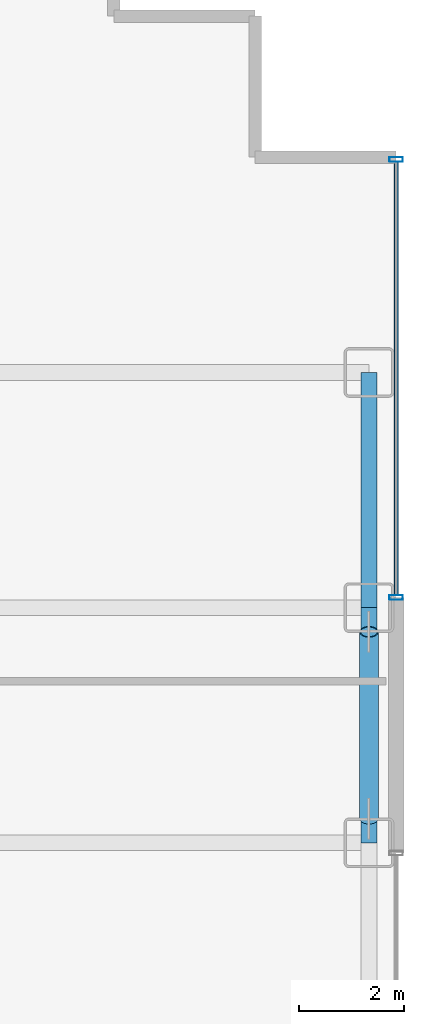
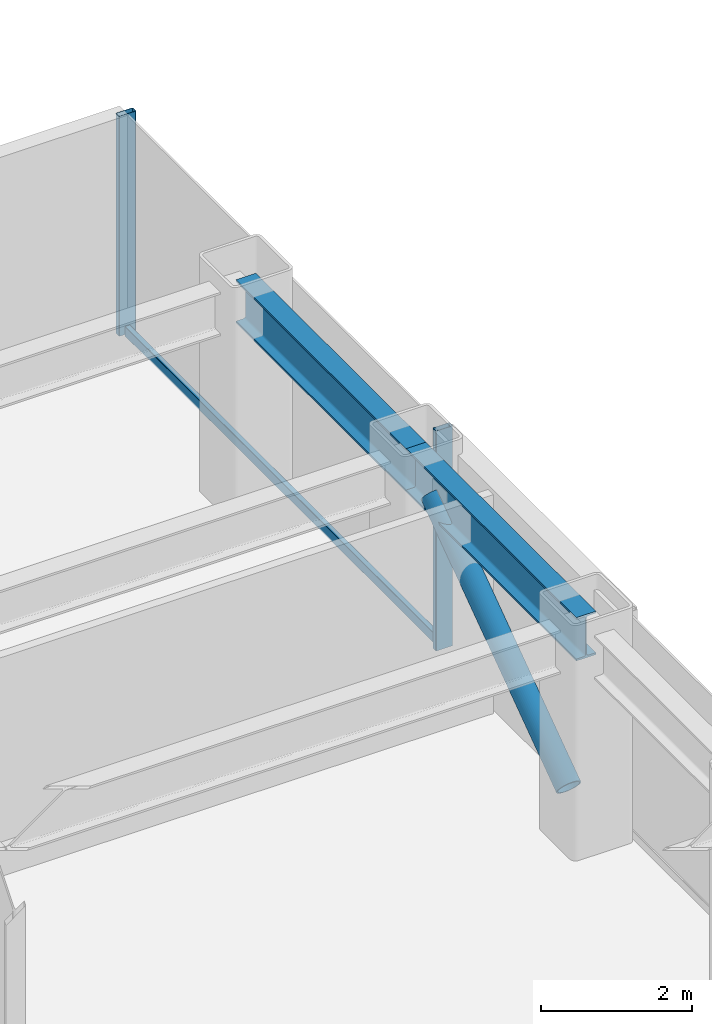
# One storey, part 19 of 29: 4 members, 2 beams, 1 element without a shape of its own.
"""IFC4 building model written with IfcOpenShell, lengths in metres."""

from ifc_helpers import new_model, si_unit, direction, frame, origin, origin_2d, place, context, subcontext, project, spatial, hollow_rectangle, hollow_circle, i_section, extrude, source, transform, mapped, material, layer, layer_set, material_profile, profile_set, type_object, element, aggregate, save


model = new_model("IFC4")

# Units and contexts
model_context = context("Model", 3, precision=1e-05, world=origin(), true_north=direction((0.0, 1.0)))
body_context = subcontext(model_context, "Body", "Model", "MODEL_VIEW")
ifc_project = project(units=[si_unit("LENGTHUNIT", "METRE"), si_unit("AREAUNIT", "SQUARE_METRE"), si_unit("VOLUMEUNIT", "CUBIC_METRE"), si_unit("PLANEANGLEUNIT", "RADIAN"), si_unit("MASSUNIT", "GRAM", prefix="KILO")], contexts=[model_context])

# Site, building, storey
site_placement = place(None, origin())
site = spatial("IfcSite", under=ifc_project, at=site_placement, CompositionType="ELEMENT")
building_placement = place(site_placement, origin())
building = spatial("IfcBuilding", under=site, at=building_placement, Name="Nefas-Gora Pilgrimage Tower", CompositionType="ELEMENT")
storey_placement = place(building_placement, frame((0.0, 0.0, 78.60009765625)))
storey = spatial("IfcBuildingStorey", under=building, at=storey_placement, Name="L18", CompositionType="ELEMENT", Elevation=78.60009765625)

# Beams
ifc_material_1 = material(Name="Steel S355", Category="steel")
ifc_material_profile_1 = material_profile(ifc_material_1, i_section(OverallWidth=0.300048828125, OverallDepth=0.699951171875, WebThickness=0.01708984375, FlangeThickness=0.031982421875, FilletRadius=0.027099609375, at=origin_2d()), Name="HEB 700")
ifc_profile_set_1 = profile_set([ifc_material_profile_1], Name="Steel S355")
beam_type = type_object("IfcBeamType", Name="BM-SPN-HEB600", PredefinedType="SPANDREL", material=ifc_profile_set_1)
shared_shape_1 = source(origin(), body_context, "Body", "SweptSolid", [
    extrude(i_section(OverallWidth=0.300048828125, OverallDepth=0.699951171875, WebThickness=0.01708984375, FlangeThickness=0.031982421875, FilletRadius=0.027099609375, at=origin_2d()), origin(), (0.0, 0.0, 1.0), 4.5),
])
for number, where, z_axis, x_axis, name in (
    (1, (33.75, 4.5, 3.199951171875), (0.0, 1.0, 0.0), (-1.0, 0.0, 0.0), "L18 SP-01 beam"),
    (2, (33.75, 9.0, 3.199951171875), (0.0, 1.0, 0.0), (-1.0, 0.0, 0.0), "L18 SP-01 beam"),
):
    element("IfcBeam", number, at=place(storey_placement, frame(where, z_axis=z_axis, x_axis=x_axis)), inside=storey, type_object=beam_type, Name=name, PredefinedType="SPANDREL", context=body_context, shape_type="MappedRepresentation", body=[
        mapped(shared_shape_1, transform((0.0, 0.0, 0.0), x_axis=(1.0, 0.0, 0.0), y_axis=(0.0, 1.0, 0.0), z_axis=(0.0, 0.0, 1.0), scale=1.0)),
    ])

# Member
ifc_material_2 = material(Name="Steel S460", Category="steel")
ifc_material_profile_2 = material_profile(ifc_material_2, hollow_circle(Radius=0.177734375, WallThickness=0.02001953125, at=origin_2d()), Name="CHS 355.6x20")
ifc_profile_set_2 = profile_set([ifc_material_profile_2], Name="Steel S460")
member_type_1 = type_object("IfcMemberType", Name="MEM-TUBE-356", PredefinedType="BRACE", material=ifc_profile_set_2)
shared_shape_2 = source(origin(), body_context, "Body", "SweptSolid", [
    extrude(hollow_circle(Radius=0.177734375, WallThickness=0.02001953125, at=origin_2d()), origin(), (0.0, 0.0, 1.0), 4.39501953125),
])
member_1_placement = place(storey_placement, frame((33.75, 4.962890625, 0.481201171875), z_axis=(0.0, 0.813264026864, 0.581894855287), x_axis=(-1.0, 0.0, 0.0)))
element("IfcMember", 3, at=member_1_placement, inside=storey, type_object=member_type_1, Name="L18 Perimeter Tube Diagonal Brace E2", PredefinedType="BRACE", context=body_context, shape_type="MappedRepresentation", body=[
    mapped(shared_shape_2, transform((0.0, 0.0, 0.0), x_axis=(1.0, 0.0, 0.0), y_axis=(0.0, 1.0, 0.0), z_axis=(0.0, 0.0, 1.0), scale=1.0)),
])

# Curtain wall, members
ifc_material_3 = material(Name="Dark ceramic-fritted solar-control aluminium-glass curtain wall", Category="aluminium")
ifc_layer = layer(ifc_material_3, 0.219970703125)
ifc_layer_set = layer_set([ifc_layer], Name="Dark ceramic-fritted solar-control aluminium-glass curtain wall")
curtain_wall_type = type_object("IfcCurtainWallType", Name="CW-SYS-2", PredefinedType="NOTDEFINED", material=ifc_layer_set)
curtain_wall_placement = place(storey_placement, origin())
curtain_wall = element("IfcCurtainWall", 4, at=curtain_wall_placement, inside=storey, type_object=curtain_wall_type, Name="L18 Unitised Curtain Wall CW2", PredefinedType="NOTDEFINED")
ifc_material_4 = material(Name="Anodised architectural aluminium", Category="aluminium")
ifc_material_profile_3 = material_profile(ifc_material_4, hollow_rectangle(XDim=0.080078125, YDim=0.159912109375, WallThickness=0.00439453125, InnerFilletRadius=0.00439453125, OuterFilletRadius=0.009033203125, at=origin_2d()), Name="ALU TRANSOM 80x160")
ifc_profile_set_3 = profile_set([ifc_material_profile_3], Name="Anodised architectural aluminium")
member_type_2 = type_object("IfcMemberType", Name="CWM-TRN-2", PredefinedType="USERDEFINED", material=ifc_profile_set_3)
shared_shape_3 = source(origin(), body_context, "Body", "SweptSolid", [
    extrude(hollow_rectangle(XDim=0.080078125, YDim=0.159912109375, WallThickness=0.00439453125, InnerFilletRadius=0.00439453125, OuterFilletRadius=0.009033203125, at=origin_2d()), origin(), (0.0, 0.0, 1.0), 8.2900390625),
])
member_2_placement = place(storey_placement, frame((34.27001953125, 9.239990234375, 0.0498046875), z_axis=(0.0, 1.0, 0.0), x_axis=(-1.0, 0.0, 0.0)))
member_2 = element("IfcMember", 5, at=member_2_placement, type_object=member_type_2, Name="CW2 Spandrel Transom", ObjectType="TRANSOM", PredefinedType="USERDEFINED", context=body_context, shape_type="MappedRepresentation", body=[
    mapped(shared_shape_3, transform((0.0, 0.0, 0.0), x_axis=(1.0, 0.0, 0.0), y_axis=(0.0, 1.0, 0.0), z_axis=(0.0, 0.0, 1.0), scale=1.0)),
])
ifc_material_profile_4 = material_profile(ifc_material_4, hollow_rectangle(XDim=0.090087890625, YDim=0.260009765625, WallThickness=0.006103515625, InnerFilletRadius=0.006103515625, OuterFilletRadius=0.011962890625, at=origin_2d()), Name="ALU MULLION 90x260")
ifc_profile_set_4 = profile_set([ifc_material_profile_4], Name="Anodised architectural aluminium")
member_type_3 = type_object("IfcMemberType", Name="CWM-MUL-2", PredefinedType="MULLION", material=ifc_profile_set_4)
shared_shape_4 = source(origin(), body_context, "Body", "SweptSolid", [
    extrude(hollow_rectangle(XDim=0.090087890625, YDim=0.260009765625, WallThickness=0.006103515625, InnerFilletRadius=0.006103515625, OuterFilletRadius=0.011962890625, at=origin_2d()), origin(), (0.0, 0.0, 1.0), 3.5498046875),
])
member_3_placement = place(storey_placement, frame((34.27001953125, 9.195068359375, 0.0), z_axis=(0.0, 0.0, 1.0), x_axis=(0.0, 1.0, 0.0)))
member_3 = element("IfcMember", 6, at=member_3_placement, type_object=member_type_3, Name="CW2 Mullion 1", PredefinedType="MULLION", context=body_context, shape_type="MappedRepresentation", body=[
    mapped(shared_shape_4, transform((0.0, 0.0, 0.0), x_axis=(1.0, 0.0, 0.0), y_axis=(0.0, 1.0, 0.0), z_axis=(0.0, 0.0, 1.0), scale=1.0)),
])
member_4_placement = place(storey_placement, frame((34.27001953125, 17.574951171875, 0.0), z_axis=(0.0, 0.0, 1.0), x_axis=(0.0, 1.0, 0.0)))
member_4 = element("IfcMember", 7, at=member_4_placement, type_object=member_type_3, Name="CW2 Mullion 2", PredefinedType="MULLION", context=body_context, shape_type="MappedRepresentation", body=[
    mapped(shared_shape_4, transform((0.0, 0.0, 0.0), x_axis=(1.0, 0.0, 0.0), y_axis=(0.0, 1.0, 0.0), z_axis=(0.0, 0.0, 1.0), scale=1.0)),
])
aggregate(curtain_wall, [member_3, member_4, member_2])

save(model, "model.ifc")
